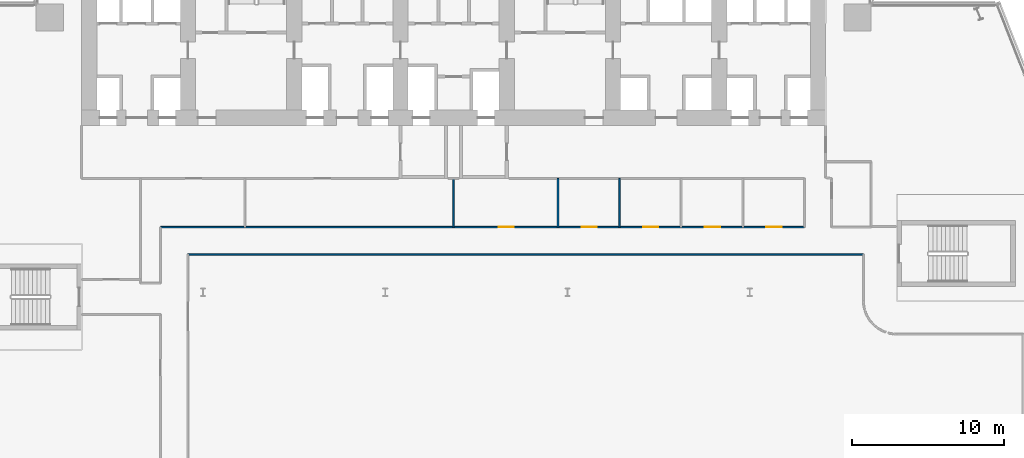
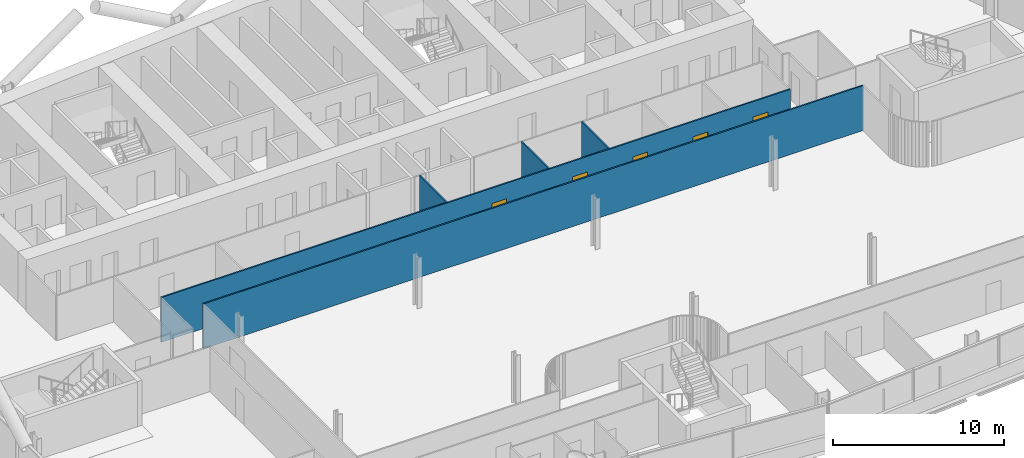
# One storey, part 18 of 30: 5 doors, 5 walls, 5 openings.
"""IFC4 building model written with IfcOpenShell, lengths in metres."""

from ifc_helpers import new_model, si_unit, direction, frame, frame_2d, origin, place, context, subcontext, project, spatial, rectangle, extrude, material, layer, layer_set, type_object, element, fill, save


model = new_model("IFC4")

# Units and contexts
model_context = context("Model", 3, precision=1e-05, world=origin(), true_north=direction((0.0, 1.0)))
body_context = subcontext(model_context, "Body", "Model", "MODEL_VIEW")
ifc_project = project(units=[si_unit("LENGTHUNIT", "METRE"), si_unit("AREAUNIT", "SQUARE_METRE"), si_unit("VOLUMEUNIT", "CUBIC_METRE"), si_unit("PLANEANGLEUNIT", "RADIAN"), si_unit("MASSUNIT", "GRAM", prefix="KILO")], contexts=[model_context])

# Site, building, storey
site_placement = place(None, origin())
site = spatial("IfcSite", under=ifc_project, at=site_placement, CompositionType="ELEMENT")
building_placement = place(site_placement, origin())
building = spatial("IfcBuilding", under=site, at=building_placement, Name="Wharfspan Tower", CompositionType="ELEMENT")
storey_placement = place(building_placement, frame((0.0, 0.0, 107.5)))
storey = spatial("IfcBuildingStorey", under=building, at=storey_placement, Name="L24", CompositionType="ELEMENT", Elevation=107.5)

# Wall, openings, doors
ifc_material_1 = material(Name="Gypsum board on steel studs", Category="steel")
ifc_layer = layer(ifc_material_1, 0.100098)
ifc_layer_set = layer_set([ifc_layer], Name="Gypsum board on steel studs")
wall_type = type_object("IfcWallType", Name="Compartment wall 100 EI 60", PredefinedType="PARTITIONING", material=ifc_layer_set)
wall_1_placement = place(storey_placement, frame((21.199951, 27.300049, 0.0), z_axis=(0.0, 0.0, 1.0), x_axis=(1.0, 0.0, 0.0)))
wall_1 = element("IfcWall", 1, at=wall_1_placement, inside=storey, type_object=wall_type, Name="Partition L24.w013", PredefinedType="PARTITIONING", context=body_context, shape_type="SweptSolid", body=[
    extrude(rectangle(XDim=42.400146, YDim=0.100098, at=frame_2d((21.200195, 0.0))), origin(), (0.0, 0.0, 1.0), 3.199951),
])
opening_1_placement = place(wall_1_placement, frame((22.274902, 0.0, 0.0)))
opening_1 = element("IfcOpeningElement", 2, at=opening_1_placement, cuts=wall_1, Name="Opening B2-14", PredefinedType="OPENING", context=body_context, shape_type="SweptSolid", body=[
    extrude(rectangle(XDim=1.0, YDim=2.100098, at=frame_2d((0.5, 1.050049))), frame((0.0, 0.060059, 0.0), z_axis=(0.0, -1.0, 0.0), x_axis=(1.0, 0.0, 0.0)), (0.0, 0.0, 1.0), 0.120117),
])
opening_2_placement = place(wall_1_placement, frame((27.72998, 0.0, 0.0)))
opening_2 = element("IfcOpeningElement", 3, at=opening_2_placement, cuts=wall_1, Name="Opening B2-15", PredefinedType="OPENING", context=body_context, shape_type="SweptSolid", body=[
    extrude(rectangle(XDim=1.0, YDim=2.100098, at=frame_2d((0.5, 1.050049))), frame((0.0, 0.060059, 0.0), z_axis=(0.0, -1.0, 0.0), x_axis=(1.0, 0.0, 0.0)), (0.0, 0.0, 1.0), 0.120117),
])
opening_3_placement = place(wall_1_placement, frame((31.784912, 0.0, 0.0)))
opening_3 = element("IfcOpeningElement", 4, at=opening_3_placement, cuts=wall_1, Name="Opening B2-16", PredefinedType="OPENING", context=body_context, shape_type="SweptSolid", body=[
    extrude(rectangle(XDim=1.0, YDim=2.100098, at=frame_2d((0.5, 1.050049))), frame((0.0, 0.060059, 0.0), z_axis=(0.0, -1.0, 0.0), x_axis=(1.0, 0.0, 0.0)), (0.0, 0.0, 1.0), 0.120117),
])
opening_4_placement = place(wall_1_placement, frame((35.844971, 0.0, 0.0)))
opening_4 = element("IfcOpeningElement", 5, at=opening_4_placement, cuts=wall_1, Name="Opening B2-17", PredefinedType="OPENING", context=body_context, shape_type="SweptSolid", body=[
    extrude(rectangle(XDim=1.0, YDim=2.100098, at=frame_2d((0.5, 1.050049))), frame((0.0, 0.060059, 0.0), z_axis=(0.0, -1.0, 0.0), x_axis=(1.0, 0.0, 0.0)), (0.0, 0.0, 1.0), 0.120117),
])
opening_5_placement = place(wall_1_placement, frame((39.899902, 0.0, 0.0)))
opening_5 = element("IfcOpeningElement", 6, at=opening_5_placement, cuts=wall_1, Name="Opening B2-18", PredefinedType="OPENING", context=body_context, shape_type="SweptSolid", body=[
    extrude(rectangle(XDim=1.0, YDim=2.100098, at=frame_2d((0.5, 1.050049))), frame((0.0, 0.060059, 0.0), z_axis=(0.0, -1.0, 0.0), x_axis=(1.0, 0.0, 0.0)), (0.0, 0.0, 1.0), 0.120117),
])
ifc_material_2 = material(Name="Fire-rated timber door leaf in steel frame", Category="steel")
door_type = type_object("IfcDoorType", Name="Door 1000 FD30S Right", OperationType="SINGLE_SWING_RIGHT", PredefinedType="DOOR", material=ifc_material_2)
door_1_placement = place(opening_1_placement, origin())
door_1 = element("IfcDoor", 7, at=door_1_placement, inside=storey, type_object=door_type, Name="Door B2-14", OperationType="SINGLE_SWING_RIGHT", OverallHeight=2.100098, OverallWidth=1.0, PredefinedType="DOOR", context=body_context, shape_type="SweptSolid", body=[
    extrude(rectangle(XDim=1.0, YDim=2.100098, at=frame_2d((0.5, 1.050049))), frame((0.0, 0.024902, 0.0), z_axis=(0.0, -1.0, 0.0), x_axis=(1.0, 0.0, 0.0)), (0.0, 0.0, 1.0), 0.050049),
])
fill(opening_1, door_1)
door_2_placement = place(opening_2_placement, origin())
door_2 = element("IfcDoor", 8, at=door_2_placement, inside=storey, type_object=door_type, Name="Door B2-15", OperationType="SINGLE_SWING_RIGHT", OverallHeight=2.100098, OverallWidth=1.0, PredefinedType="DOOR", context=body_context, shape_type="SweptSolid", body=[
    extrude(rectangle(XDim=1.0, YDim=2.100098, at=frame_2d((0.5, 1.050049))), frame((0.0, 0.024902, 0.0), z_axis=(0.0, -1.0, 0.0), x_axis=(1.0, 0.0, 0.0)), (0.0, 0.0, 1.0), 0.050049),
])
fill(opening_2, door_2)
door_3_placement = place(opening_3_placement, origin())
door_3 = element("IfcDoor", 9, at=door_3_placement, inside=storey, type_object=door_type, Name="Door B2-16", OperationType="SINGLE_SWING_RIGHT", OverallHeight=2.100098, OverallWidth=1.0, PredefinedType="DOOR", context=body_context, shape_type="SweptSolid", body=[
    extrude(rectangle(XDim=1.0, YDim=2.100098, at=frame_2d((0.5, 1.050049))), frame((0.0, 0.024902, 0.0), z_axis=(0.0, -1.0, 0.0), x_axis=(1.0, 0.0, 0.0)), (0.0, 0.0, 1.0), 0.050049),
])
fill(opening_3, door_3)
door_4_placement = place(opening_4_placement, origin())
door_4 = element("IfcDoor", 10, at=door_4_placement, inside=storey, type_object=door_type, Name="Door B2-17", OperationType="SINGLE_SWING_RIGHT", OverallHeight=2.100098, OverallWidth=1.0, PredefinedType="DOOR", context=body_context, shape_type="SweptSolid", body=[
    extrude(rectangle(XDim=1.0, YDim=2.100098, at=frame_2d((0.5, 1.050049))), frame((0.0, 0.024902, 0.0), z_axis=(0.0, -1.0, 0.0), x_axis=(1.0, 0.0, 0.0)), (0.0, 0.0, 1.0), 0.050049),
])
fill(opening_4, door_4)
door_5_placement = place(opening_5_placement, origin())
door_5 = element("IfcDoor", 11, at=door_5_placement, inside=storey, type_object=door_type, Name="Door B2-18", OperationType="SINGLE_SWING_RIGHT", OverallHeight=2.100098, OverallWidth=1.0, PredefinedType="DOOR", context=body_context, shape_type="SweptSolid", body=[
    extrude(rectangle(XDim=1.0, YDim=2.100098, at=frame_2d((0.5, 1.050049))), frame((0.0, 0.024902, 0.0), z_axis=(0.0, -1.0, 0.0), x_axis=(1.0, 0.0, 0.0)), (0.0, 0.0, 1.0), 0.050049),
])
fill(opening_5, door_5)

# Walls
wall_2_placement = place(storey_placement, frame((23.0, 25.5, 0.0), z_axis=(0.0, 0.0, 1.0), x_axis=(1.0, 0.0, 0.0)))
element("IfcWall", 12, at=wall_2_placement, inside=storey, type_object=wall_type, Name="Partition L24.w016", PredefinedType="PARTITIONING", context=body_context, shape_type="SweptSolid", body=[
    extrude(rectangle(XDim=44.48999, YDim=0.100098, at=frame_2d((22.245117, 0.0))), origin(), (0.0, 0.0, 1.0), 3.199951),
])
for number, where, z_axis, x_axis, name in (
    (13, (40.5, 27.300049, 0.0), (0.0, 0.0, 1.0), (0.0, 1.0, 0.0), "Partition L24.w047"),
    (14, (47.375, 27.300049, 0.0), (0.0, 0.0, 1.0), (0.0, 1.0, 0.0), "Partition L24.w058"),
    (15, (51.429932, 27.300049, 0.0), (0.0, 0.0, 1.0), (0.0, 1.0, 0.0), "Partition L24.w070"),
):
    element("IfcWall", number, at=place(storey_placement, frame(where, z_axis=z_axis, x_axis=x_axis)), inside=storey, type_object=wall_type, Name=name, PredefinedType="PARTITIONING", context=body_context, shape_type="SweptSolid", body=[
        extrude(rectangle(XDim=3.199951, YDim=0.100098, at=frame_2d((1.600098, 0.0))), origin(), (0.0, 0.0, 1.0), 3.199951),
    ])

save(model, "model.ifc")
